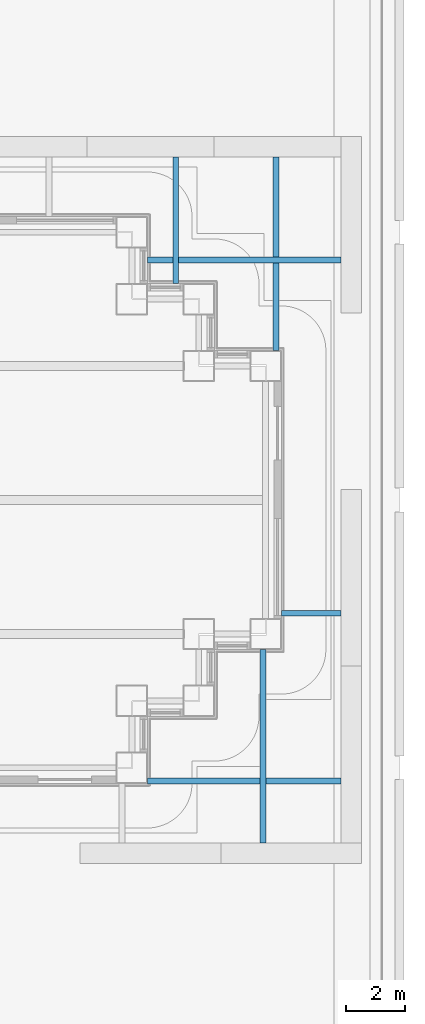
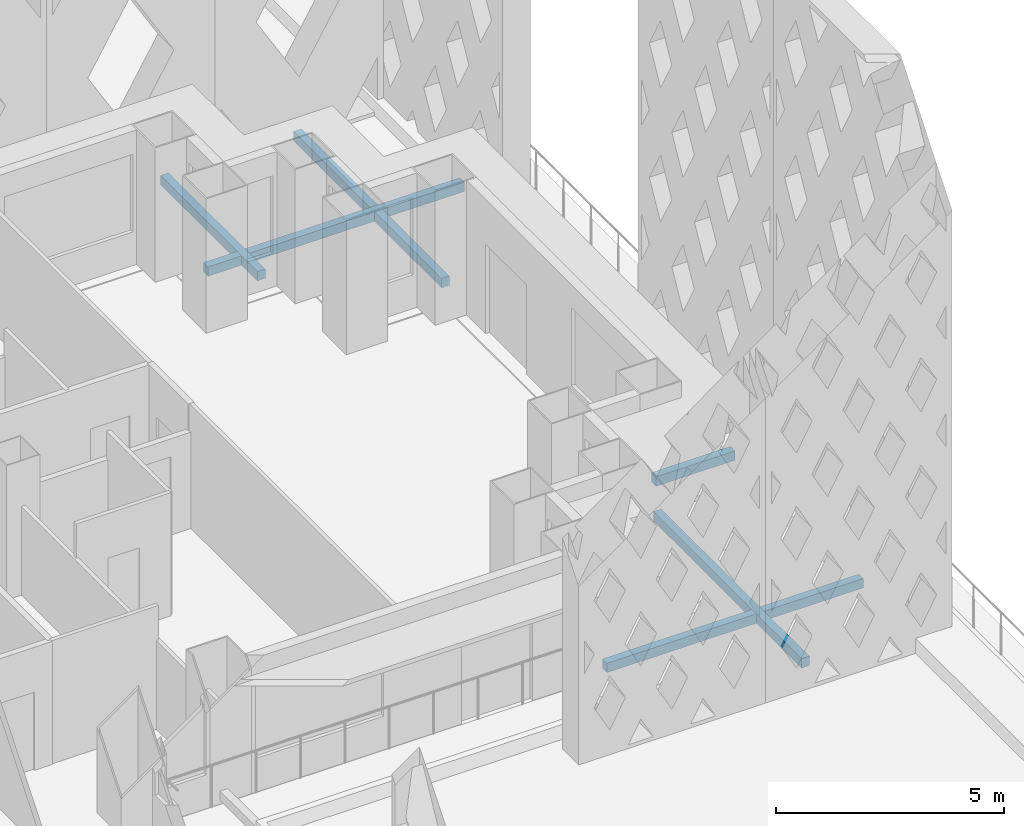
# One storey, part 11 of 26: 6 discrete accessories.
"""IFC4 building model written with IfcOpenShell, lengths in metres."""

from ifc_helpers import new_model, si_unit, direction, frame, origin, origin_2d, place, context, subcontext, project, spatial, rectangle, extrude, material, type_object, element, save


model = new_model("IFC4")

# Units and contexts
model_context = context("Model", 3, precision=1e-05, world=origin(), true_north=direction((0.0, 1.0)))
body_context = subcontext(model_context, "Body", "Model", "MODEL_VIEW")
ifc_project = project(units=[si_unit("LENGTHUNIT", "METRE"), si_unit("AREAUNIT", "SQUARE_METRE"), si_unit("VOLUMEUNIT", "CUBIC_METRE"), si_unit("PLANEANGLEUNIT", "RADIAN"), si_unit("MASSUNIT", "GRAM", prefix="KILO")], contexts=[model_context])

# Site, building, storey
site_placement = place(None, origin())
site = spatial("IfcSite", under=ifc_project, at=site_placement, CompositionType="ELEMENT")
building_placement = place(site_placement, origin())
building = spatial("IfcBuilding", under=site, at=building_placement, Name="Caravel Reach Hotel and Residences", CompositionType="ELEMENT")
storey_placement = place(building_placement, frame((0.0, 0.0, 33.60009765625)))
storey = spatial("IfcBuildingStorey", under=building, at=storey_placement, Name="L06", CompositionType="ELEMENT", Elevation=33.60009765625)

# Discrete accessories
ifc_material = material(Name="Black powder-coated aluminium", Category="aluminium")
discrete_accessory_type = type_object("IfcDiscreteAccessoryType", Name="BR1 Screen bracket", PredefinedType="BRACKET", material=ifc_material)
for number, where, z_axis, x_axis, name in (
    (1, (62.91162109375, 18.72509765625, 0.099853515625), (0.0, 0.0, 1.0), (0.0, -1.0, 0.0), "Screen bracket L06 6.3.1"),
    (2, (62.27490234375, 17.55615234375, 0.099853515625), (0.0, 0.0, 1.0), (1.0, 0.0, 0.0), "Screen bracket L06 7.1.1"),
):
    element("IfcDiscreteAccessory", number, at=place(storey_placement, frame(where, z_axis=z_axis, x_axis=x_axis)), inside=storey, type_object=discrete_accessory_type, Name=name, PredefinedType="BRACKET", context=body_context, shape_type="SweptSolid", body=[
        extrude(rectangle(XDim=6.5, YDim=0.199951171875, at=origin_2d()), origin(), (0.0, 0.0, 1.0), 0.25),
    ])
discrete_accessory_1_placement = place(storey_placement, frame((64.52490234375, 23.19384765625, 0.099853515625), z_axis=(0.0, 0.0, 1.0), x_axis=(1.0, 0.0, 0.0)))
element("IfcDiscreteAccessory", 3, at=discrete_accessory_1_placement, inside=storey, type_object=discrete_accessory_type, Name="Screen bracket L06 7.2.1", PredefinedType="BRACKET", context=body_context, shape_type="SweptSolid", body=[
    extrude(rectangle(XDim=2.0, YDim=0.199951171875, at=origin_2d()), origin(), (0.0, 0.0, 1.0), 0.25),
])
for number, where, z_axis, x_axis, name in (
    (4, (62.27490234375, 35.06884765625, 0.099853515625), (0.0, 0.0, 1.0), (1.0, 0.0, 0.0), "Screen bracket L06 7.4.1"),
    (5, (63.344970703125, 35.27490234375, 0.099853515625), (0.0, 0.0, 1.0), (0.0, 1.0, 0.0), "Screen bracket L06 8.1.1"),
):
    element("IfcDiscreteAccessory", number, at=place(storey_placement, frame(where, z_axis=z_axis, x_axis=x_axis)), inside=storey, type_object=discrete_accessory_type, Name=name, PredefinedType="BRACKET", context=body_context, shape_type="SweptSolid", body=[
        extrude(rectangle(XDim=6.5, YDim=0.199951171875, at=origin_2d()), origin(), (0.0, 0.0, 1.0), 0.25),
    ])
discrete_accessory_2_placement = place(storey_placement, frame((59.978271484375, 36.39990234375, 0.099853515625), z_axis=(0.0, 0.0, 1.0), x_axis=(0.0, 1.0, 0.0)))
element("IfcDiscreteAccessory", 6, at=discrete_accessory_2_placement, inside=storey, type_object=discrete_accessory_type, Name="Screen bracket L06 8.2.1", PredefinedType="BRACKET", context=body_context, shape_type="SweptSolid", body=[
    extrude(rectangle(XDim=4.25, YDim=0.199951171875, at=origin_2d()), origin(), (0.0, 0.0, 1.0), 0.25),
])

save(model, "model.ifc")
